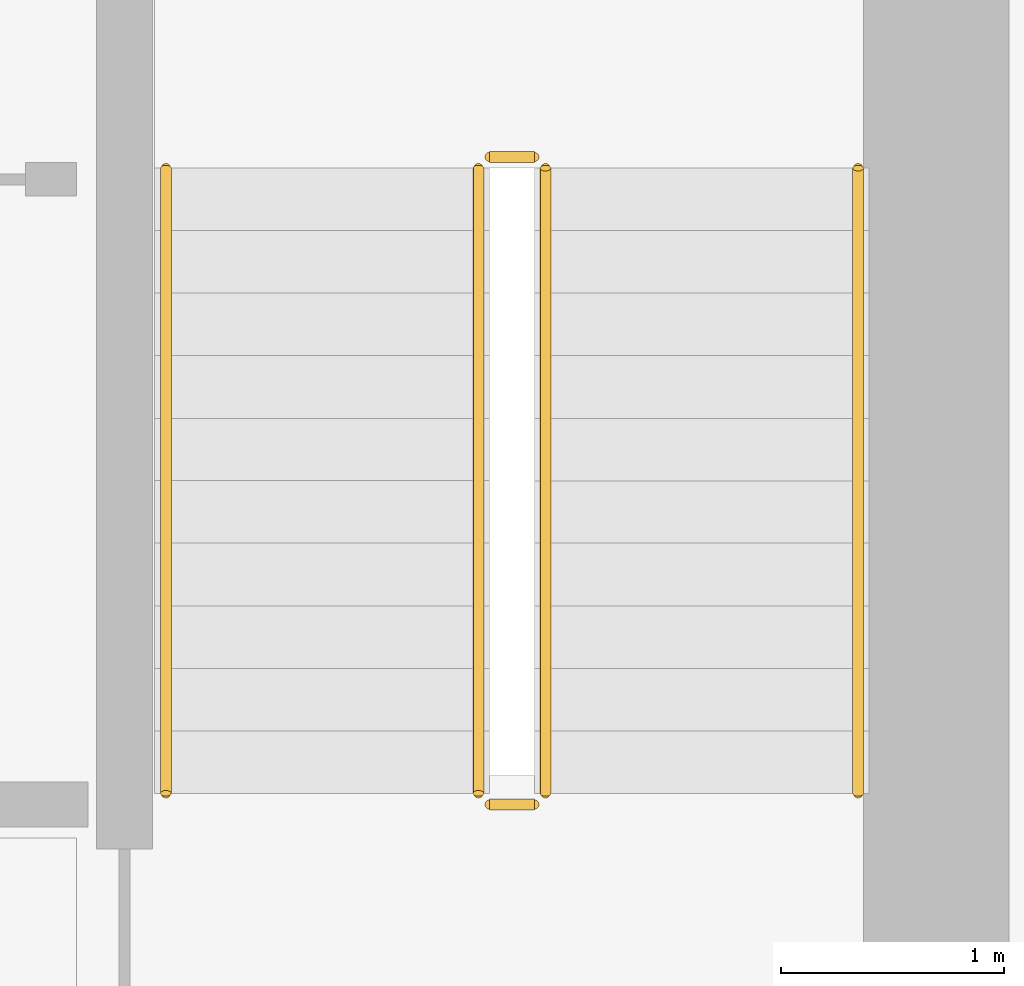
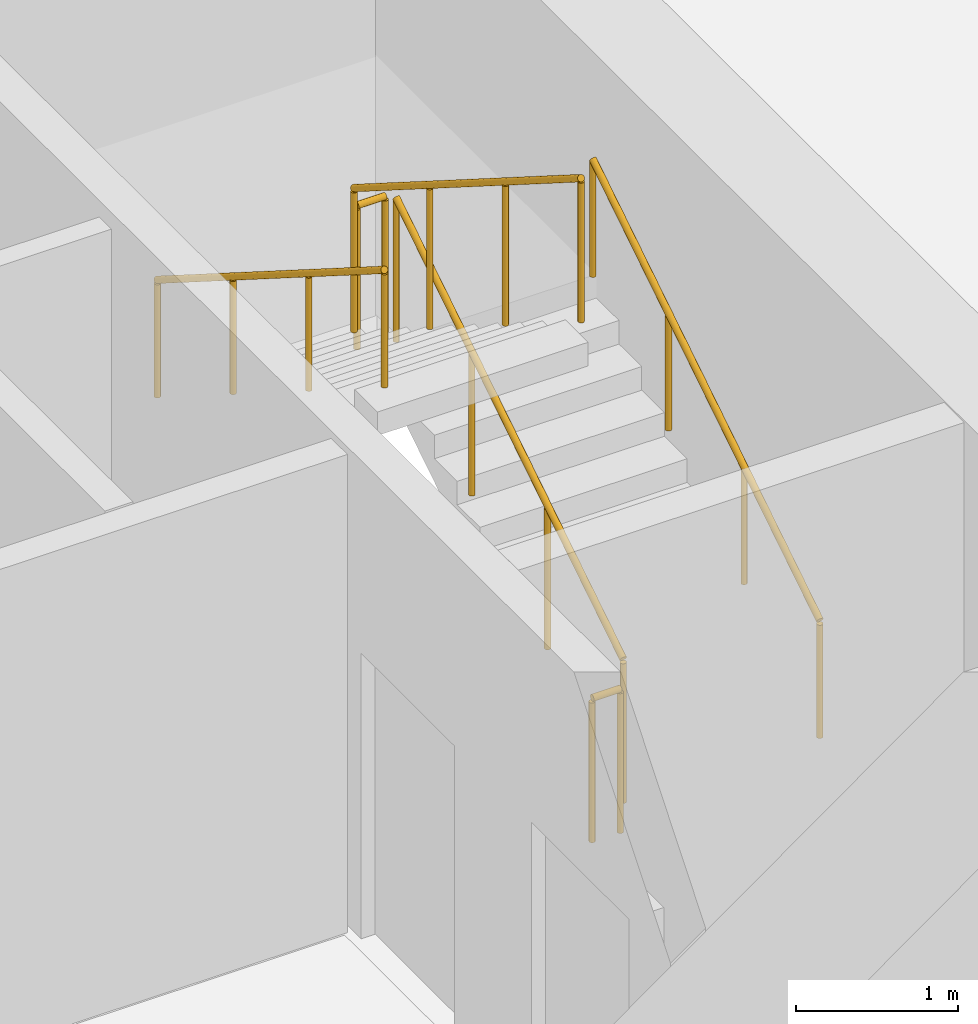
# One storey, part 8 of 10: 6 railings.
"""IFC4 building model written with IfcOpenShell, lengths in metres."""

from ifc_helpers import new_model, si_unit, direction, frame, origin, origin_2d, place, context, subcontext, project, spatial, circle, extrude, material, type_object, element, save


model = new_model("IFC4")

# Units and contexts
model_context = context("Model", 3, precision=1e-05, world=origin(), true_north=direction((0.0, 1.0)))
body_context = subcontext(model_context, "Body", "Model", "MODEL_VIEW")
ifc_project = project(units=[si_unit("LENGTHUNIT", "METRE"), si_unit("AREAUNIT", "SQUARE_METRE"), si_unit("VOLUMEUNIT", "CUBIC_METRE"), si_unit("PLANEANGLEUNIT", "RADIAN"), si_unit("MASSUNIT", "GRAM", prefix="KILO")], contexts=[model_context])

# Site, building, storey
site_placement = place(None, origin())
site = spatial("IfcSite", under=ifc_project, at=site_placement, CompositionType="ELEMENT")
building_placement = place(site_placement, origin())
building = spatial("IfcBuilding", under=site, at=building_placement, Name="Kranthara Brick Stack", CompositionType="ELEMENT")
storey_placement = place(building_placement, frame((0.0, 0.0, 98.39990234375)))
storey = spatial("IfcBuildingStorey", under=building, at=storey_placement, Name="L24", CompositionType="ELEMENT", Elevation=98.39990234375)

# Railings
ifc_material_1 = material(Name="Painted galvanized steel stair guardrail", Category="steel")
railing_type_1 = type_object("IfcRailingType", Name="RL-STAIR-GUARD-1100", PredefinedType="GUARDRAIL", material=ifc_material_1)
railing_1_placement = place(storey_placement, frame((41.449951171875, 25.199951171875, 0.177490234375)))
element("IfcRailing", 1, at=railing_1_placement, inside=storey, type_object=railing_type_1, Name="L24 ST02 stair guard 1", PredefinedType="GUARDRAIL", context=body_context, shape_type="SweptSolid", body=[
    extrude(circle(Radius=0.02392578125, at=origin_2d()), frame((0.0, 0.0, 1.076171875), z_axis=(0.0, 0.844908973607, 0.534910110503), x_axis=(-1.0, 0.0, 0.0)), (0.0, 0.0, 1.0), 3.31396484375),
    extrude(circle(Radius=0.02099609375, at=origin_2d()), origin(), (0.0, 0.0, 1.0), 1.052001953125),
    extrude(circle(Radius=0.02099609375, at=origin_2d()), frame((0.0, 0.933349609375, 0.5908203125)), (0.0, 0.0, 1.0), 1.052001953125),
    extrude(circle(Radius=0.02099609375, at=origin_2d()), frame((0.0, 1.86669921875, 1.181884765625)), (0.0, 0.0, 1.0), 1.052001953125),
    extrude(circle(Radius=0.02099609375, at=origin_2d()), frame((0.0, 2.800048828125, 1.772705078125)), (0.0, 0.0, 1.0), 1.052001953125),
])
railing_2_placement = place(storey_placement, frame((41.39990234375, 28.050048828125, 1.9501953125)))
element("IfcRailing", 2, at=railing_2_placement, inside=storey, type_object=railing_type_1, Name="L24 ST02 stair guard 2", PredefinedType="GUARDRAIL", context=body_context, shape_type="SweptSolid", body=[
    extrude(circle(Radius=0.02392578125, at=origin_2d()), frame((0.0, 0.0, 1.076171875), z_axis=(-1.0, 0.0, 0.0), x_axis=(0.0, -1.0, 0.0)), (0.0, 0.0, 1.0), 0.199951171875),
    extrude(circle(Radius=0.02099609375, at=origin_2d()), origin(), (0.0, 0.0, 1.0), 1.052001953125),
    extrude(circle(Radius=0.02099609375, at=origin_2d()), frame((-0.199951171875, 0.0, 0.0)), (0.0, 0.0, 1.0), 1.052001953125),
])
railing_3_placement = place(storey_placement, frame((41.14990234375, 28.0, 2.12744140625)))
element("IfcRailing", 3, at=railing_3_placement, inside=storey, type_object=railing_type_1, Name="L24 ST02 stair guard 3", PredefinedType="GUARDRAIL", context=body_context, shape_type="SweptSolid", body=[
    extrude(circle(Radius=0.02392578125, at=origin_2d()), frame((0.0, 0.0, 1.076171875), z_axis=(0.0, -0.844908973607, 0.534910110503), x_axis=(1.0, 0.0, 0.0)), (0.0, 0.0, 1.0), 3.31396484375),
    extrude(circle(Radius=0.02099609375, at=origin_2d()), origin(), (0.0, 0.0, 1.0), 1.052001953125),
    extrude(circle(Radius=0.02099609375, at=origin_2d()), frame((0.0, -0.933349609375, 0.5908203125)), (0.0, 0.0, 1.0), 1.052001953125),
    extrude(circle(Radius=0.02099609375, at=origin_2d()), frame((0.0, -1.86669921875, 1.181884765625)), (0.0, 0.0, 1.0), 1.052001953125),
    extrude(circle(Radius=0.02099609375, at=origin_2d()), frame((0.0, -2.800048828125, 1.772705078125)), (0.0, 0.0, 1.0), 1.052001953125),
])
railing_4_placement = place(storey_placement, frame((41.39990234375, 25.14990234375, 0.0)))
element("IfcRailing", 4, at=railing_4_placement, inside=storey, type_object=railing_type_1, Name="L24 ST02 stair guard 4", PredefinedType="GUARDRAIL", context=body_context, shape_type="SweptSolid", body=[
    extrude(circle(Radius=0.02392578125, at=origin_2d()), frame((0.0, 0.0, 1.076171875), z_axis=(-1.0, 0.0, 0.0), x_axis=(0.0, -1.0, 0.0)), (0.0, 0.0, 1.0), 0.199951171875),
    extrude(circle(Radius=0.02099609375, at=origin_2d()), origin(), (0.0, 0.0, 1.0), 1.052001953125),
    extrude(circle(Radius=0.02099609375, at=origin_2d()), frame((-0.199951171875, 0.0, 0.0)), (0.0, 0.0, 1.0), 1.052001953125),
])
ifc_material_2 = material(Name="Brushed stainless steel tubular handrail", Category="steel")
railing_type_2 = type_object("IfcRailingType", Name="RL-STAIR-HAND-900", PredefinedType="HANDRAIL", material=ifc_material_2)
railing_5_placement = place(storey_placement, frame((42.85009765625, 25.199951171875, 0.177490234375)))
element("IfcRailing", 5, at=railing_5_placement, inside=storey, type_object=railing_type_2, Name="L24 ST02 stair handrail 1", PredefinedType="HANDRAIL", context=body_context, shape_type="SweptSolid", body=[
    extrude(circle(Radius=0.02392578125, at=origin_2d()), frame((0.0, 0.0, 0.8759765625), z_axis=(0.0, 0.844908973607, 0.534910110503), x_axis=(-1.0, 0.0, 0.0)), (0.0, 0.0, 1.0), 3.31396484375),
    extrude(circle(Radius=0.02099609375, at=origin_2d()), origin(), (0.0, 0.0, 1.0), 0.851806640625),
    extrude(circle(Radius=0.02099609375, at=origin_2d()), frame((0.0, 0.933349609375, 0.5908203125)), (0.0, 0.0, 1.0), 0.851806640625),
    extrude(circle(Radius=0.02099609375, at=origin_2d()), frame((0.0, 1.86669921875, 1.181884765625)), (0.0, 0.0, 1.0), 0.851806640625),
    extrude(circle(Radius=0.02099609375, at=origin_2d()), frame((0.0, 2.800048828125, 1.772705078125)), (0.0, 0.0, 1.0), 0.851806640625),
])
railing_6_placement = place(storey_placement, frame((39.75, 28.0, 2.12744140625)))
element("IfcRailing", 6, at=railing_6_placement, inside=storey, type_object=railing_type_2, Name="L24 ST02 stair handrail 2", PredefinedType="HANDRAIL", context=body_context, shape_type="SweptSolid", body=[
    extrude(circle(Radius=0.02392578125, at=origin_2d()), frame((0.0, 0.0, 0.8759765625), z_axis=(0.0, -0.844908973607, 0.534910110503), x_axis=(1.0, 0.0, 0.0)), (0.0, 0.0, 1.0), 3.31396484375),
    extrude(circle(Radius=0.02099609375, at=origin_2d()), origin(), (0.0, 0.0, 1.0), 0.851806640625),
    extrude(circle(Radius=0.02099609375, at=origin_2d()), frame((0.0, -0.933349609375, 0.5908203125)), (0.0, 0.0, 1.0), 0.851806640625),
    extrude(circle(Radius=0.02099609375, at=origin_2d()), frame((0.0, -1.86669921875, 1.181884765625)), (0.0, 0.0, 1.0), 0.851806640625),
    extrude(circle(Radius=0.02099609375, at=origin_2d()), frame((0.0, -2.800048828125, 1.772705078125)), (0.0, 0.0, 1.0), 0.851806640625),
])

save(model, "model.ifc")
